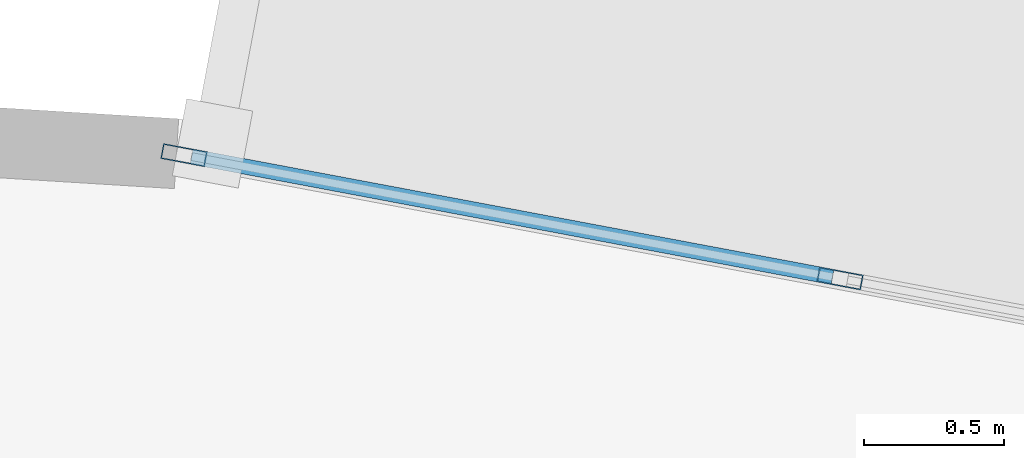
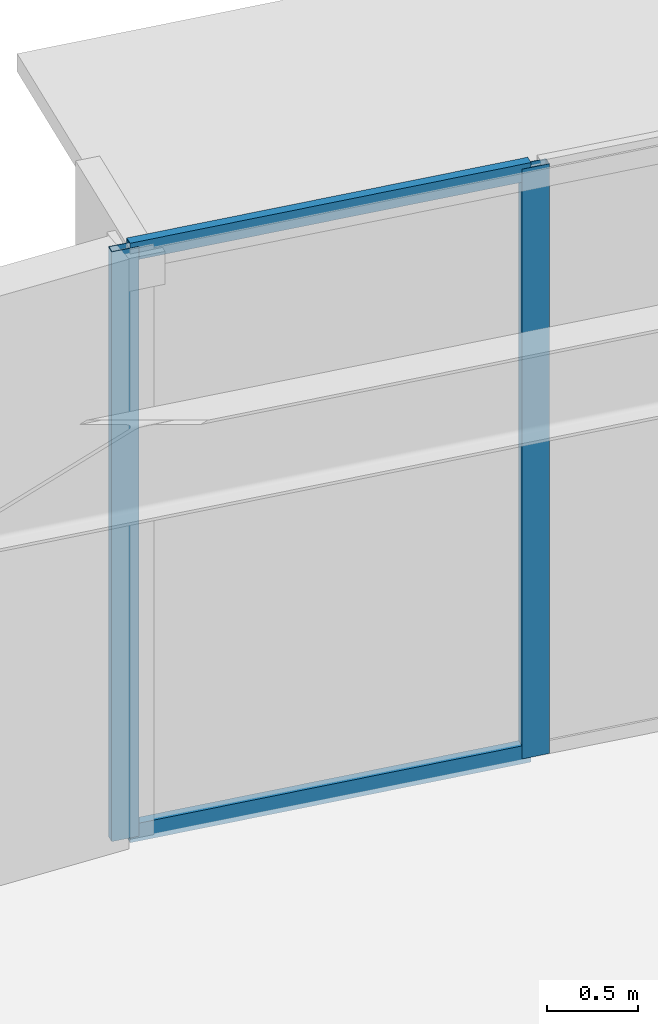
# One storey, part 14 of 32: 4 members, 1 element without a shape of its own.
"""IFC4 building model written with IfcOpenShell, lengths in metres."""

from ifc_helpers import new_model, si_unit, direction, frame, origin, origin_2d, place, context, subcontext, project, spatial, hollow_rectangle, extrude, source, transform, mapped, material, layer, layer_set, material_profile, profile_set, type_object, element, aggregate, save


model = new_model("IFC4")

# Units and contexts
model_context = context("Model", 3, precision=1e-05, world=origin(), true_north=direction((0.0, 1.0)))
body_context = subcontext(model_context, "Body", "Model", "MODEL_VIEW")
ifc_project = project(units=[si_unit("LENGTHUNIT", "METRE"), si_unit("AREAUNIT", "SQUARE_METRE"), si_unit("VOLUMEUNIT", "CUBIC_METRE"), si_unit("PLANEANGLEUNIT", "RADIAN"), si_unit("MASSUNIT", "GRAM", prefix="KILO")], contexts=[model_context])

# Site, building, storey
site_placement = place(None, origin())
site = spatial("IfcSite", under=ifc_project, at=site_placement, CompositionType="ELEMENT")
building_placement = place(site_placement, origin())
building = spatial("IfcBuilding", under=site, at=building_placement, Name="Linh Dai School and Residence Tower", CompositionType="ELEMENT")
storey_placement = place(building_placement, frame((0.0, 0.0, 40.800048828125)))
storey = spatial("IfcBuildingStorey", under=building, at=storey_placement, Name="L09", CompositionType="ELEMENT", Elevation=40.800048828125)

# Curtain wall, members
ifc_material_1 = material(Name="Aluminium Anodised Curtain Wall", Category="aluminium")
ifc_layer = layer(ifc_material_1, 0.159912109375)
ifc_layer_set = layer_set([ifc_layer], Name="Aluminium Anodised Curtain Wall")
curtain_wall_type = type_object("IfcCurtainWallType", Name="CW-SYS-3", PredefinedType="USERDEFINED", material=ifc_layer_set)
curtain_wall_placement = place(storey_placement, origin())
curtain_wall = element("IfcCurtainWall", 1, at=curtain_wall_placement, inside=storey, type_object=curtain_wall_type, Name="L09 CW3 Curtain Wall 09", ObjectType="RIBBON CURTAIN WALL", PredefinedType="USERDEFINED")
ifc_material_2 = material(Name="Aluminium Alloy 6063-T6", Category="aluminium")
ifc_material_profile_1 = material_profile(ifc_material_2, hollow_rectangle(XDim=0.054931640625, YDim=0.1201171875, WallThickness=0.00390625, at=origin_2d()), Name="RHS 120x55x4")
ifc_profile_set_1 = profile_set([ifc_material_profile_1], Name="Aluminium Alloy 6063-T6")
member_type_1 = type_object("IfcMemberType", Name="CW-SYS-3-TRN", PredefinedType="USERDEFINED", material=ifc_profile_set_1)
shared_shape_1 = source(origin(), body_context, "Body", "SweptSolid", [
    extrude(hollow_rectangle(XDim=0.054931640625, YDim=0.1201171875, WallThickness=0.00390625, at=origin_2d()), origin(), (0.0, 0.0, 1.0), 2.331787109375),
])
member_1_placement = place(storey_placement, frame((40.91943359375, 50.9951171875, 0.02734375), z_axis=(0.98277485102, -0.184806905183, 0.0), x_axis=(0.184806905183, 0.98277485102, 0.0)))
member_1 = element("IfcMember", 2, at=member_1_placement, type_object=member_type_1, Name="CW3 transom 1.1", ObjectType="TRANSOM", PredefinedType="USERDEFINED", context=body_context, shape_type="MappedRepresentation", body=[
    mapped(shared_shape_1, transform((0.0, 0.0, 0.0), x_axis=(1.0, 0.0, 0.0), y_axis=(0.0, 1.0, 0.0), z_axis=(0.0, 0.0, 1.0), scale=1.0)),
])
member_2_placement = place(storey_placement, frame((40.91943359375, 50.9951171875, 3.92236328125), z_axis=(0.98277485102, -0.184806905183, 0.0), x_axis=(0.184806905183, 0.98277485102, 0.0)))
member_2 = element("IfcMember", 3, at=member_2_placement, type_object=member_type_1, Name="CW3 transom 1.2", ObjectType="TRANSOM", PredefinedType="USERDEFINED", context=body_context, shape_type="MappedRepresentation", body=[
    mapped(shared_shape_1, transform((0.0, 0.0, 0.0), x_axis=(1.0, 0.0, 0.0), y_axis=(0.0, 1.0, 0.0), z_axis=(0.0, 0.0, 1.0), scale=1.0)),
])
ifc_material_profile_2 = material_profile(ifc_material_2, hollow_rectangle(XDim=0.054931640625, YDim=0.159912109375, WallThickness=0.00390625, at=origin_2d()), Name="RHS 160x55x4")
ifc_profile_set_2 = profile_set([ifc_material_profile_2], Name="Aluminium Alloy 6063-T6")
member_type_2 = type_object("IfcMemberType", Name="CW-SYS-3-MUL", PredefinedType="MULLION", material=ifc_profile_set_2)
shared_shape_2 = source(origin(), body_context, "Body", "SweptSolid", [
    extrude(hollow_rectangle(XDim=0.054931640625, YDim=0.159912109375, WallThickness=0.00390625, at=origin_2d()), origin(), (0.0, 0.0, 1.0), 3.949951171875),
])
member_3_placement = place(storey_placement, frame((40.892333984375, 51.0, 0.0), z_axis=(0.0, 0.0, 1.0), x_axis=(0.184747948944, 0.982785935675, 0.0)))
member_3 = element("IfcMember", 4, at=member_3_placement, type_object=member_type_2, Name="CW3 mullion 1", PredefinedType="MULLION", context=body_context, shape_type="MappedRepresentation", body=[
    mapped(shared_shape_2, transform((0.0, 0.0, 0.0), x_axis=(1.0, 0.0, 0.0), y_axis=(0.0, 1.0, 0.0), z_axis=(0.0, 0.0, 1.0), scale=1.0)),
])
member_4_placement = place(storey_placement, frame((43.238037109375, 50.55908203125, 0.0), z_axis=(0.0, 0.0, 1.0), x_axis=(0.184747948944, 0.982785935675, 0.0)))
member_4 = element("IfcMember", 5, at=member_4_placement, type_object=member_type_2, Name="CW3 mullion 2", PredefinedType="MULLION", context=body_context, shape_type="MappedRepresentation", body=[
    mapped(shared_shape_2, transform((0.0, 0.0, 0.0), x_axis=(1.0, 0.0, 0.0), y_axis=(0.0, 1.0, 0.0), z_axis=(0.0, 0.0, 1.0), scale=1.0)),
])
aggregate(curtain_wall, [member_3, member_4, member_1, member_2])

save(model, "model.ifc")
